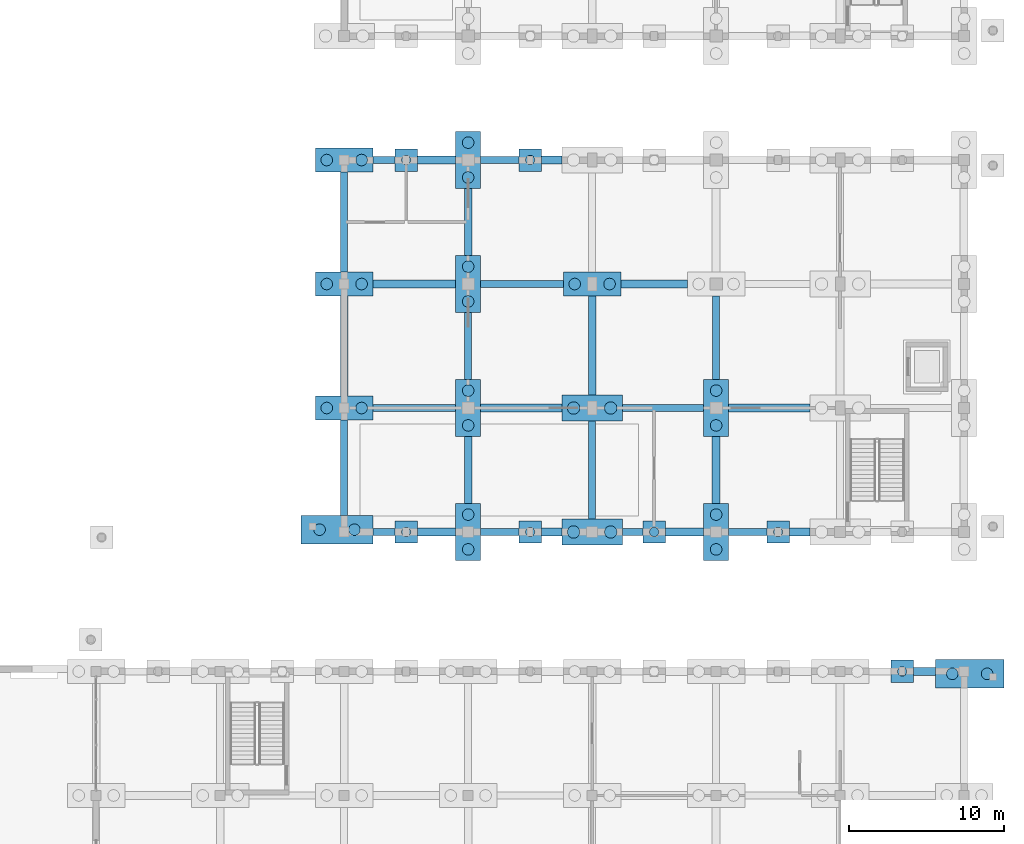
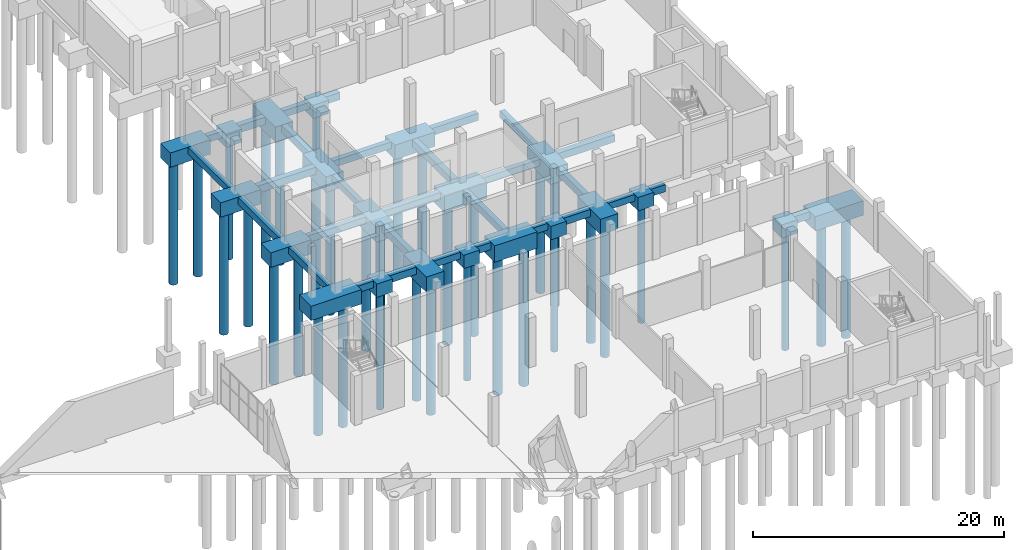
# One storey, part 10 of 52: 51 footings, 35 piles.
"""IFC4 building model written with IfcOpenShell, lengths in metres."""

from ifc_helpers import new_model, si_unit, direction, frame, origin, origin_2d, place, context, subcontext, project, spatial, polyline, rectangle, circle, outline, extrude, material, material_profile, profile_set, type_object, element, save


model = new_model("IFC4")

# Units and contexts
model_context = context("Model", 3, precision=1e-05, world=origin(), true_north=direction((0.0, 1.0)))
body_context = subcontext(model_context, "Body", "Model", "MODEL_VIEW")
ifc_project = project(units=[si_unit("LENGTHUNIT", "METRE"), si_unit("AREAUNIT", "SQUARE_METRE"), si_unit("VOLUMEUNIT", "CUBIC_METRE"), si_unit("PLANEANGLEUNIT", "RADIAN"), si_unit("MASSUNIT", "GRAM", prefix="KILO")], contexts=[model_context])

# Site, building, storey
site_placement = place(None, origin())
site = spatial("IfcSite", under=ifc_project, at=site_placement, CompositionType="ELEMENT")
building_placement = place(site_placement, origin())
building = spatial("IfcBuilding", under=site, at=building_placement, Name="Luwemba Playhouse", CompositionType="ELEMENT")
storey_placement = place(building_placement, frame((0.0, 0.0, -4.800048828125)))
storey = spatial("IfcBuildingStorey", under=building, at=storey_placement, Name="B1", CompositionType="ELEMENT", Elevation=-4.800048828125)

# Footings
ifc_material = material(Name="Concrete C32/40", Category="concrete")
ifc_material_profile_1 = material_profile(ifc_material, rectangle(XDim=0.449951171875, YDim=0.64990234375, at=origin_2d()))
ifc_profile_set_1 = profile_set([ifc_material_profile_1], Name="Concrete C32/40")
footing_type_1 = type_object("IfcFootingType", Name="FTBM-GB1", PredefinedType="FOOTING_BEAM", material=ifc_profile_set_1)
footing_1_placement = place(storey_placement, frame((133.85009765625, 36.0, -0.704833984375), z_axis=(1.0, 0.0, 0.0), x_axis=(0.0, 1.0, 0.0)))
element("IfcFooting", 1, at=footing_1_placement, inside=storey, type_object=footing_type_1, Name="Ground tie-beam 097", PredefinedType="FOOTING_BEAM", context=body_context, shape_type="SweptSolid", body=[
    extrude(rectangle(XDim=0.449951171875, YDim=0.64990234375, at=origin_2d()), origin(), (0.0, 0.0, 1.0), 1.4248046875),
])
footing_2_placement = place(storey_placement, frame((140.800048828125, 36.0, -0.704833984375), z_axis=(1.0, 0.0, 0.0), x_axis=(0.0, 1.0, 0.0)))
element("IfcFooting", 2, at=footing_2_placement, inside=storey, type_object=footing_type_1, Name="Ground tie-beam 099", PredefinedType="FOOTING_BEAM", context=body_context, shape_type="SweptSolid", body=[
    extrude(rectangle(XDim=0.449951171875, YDim=0.64990234375, at=origin_2d()), origin(), (0.0, 0.0, 1.0), 2.474853515625),
])
footing_3_placement = place(storey_placement, frame((149.949951171875, 36.0, -0.704833984375), z_axis=(1.0, 0.0, 0.0), x_axis=(0.0, 1.0, 0.0)))
element("IfcFooting", 3, at=footing_3_placement, inside=storey, type_object=footing_type_1, Name="Ground tie-beam 101", PredefinedType="FOOTING_BEAM", context=body_context, shape_type="SweptSolid", body=[
    extrude(rectangle(XDim=0.449951171875, YDim=0.64990234375, at=origin_2d()), origin(), (0.0, 0.0, 1.0), 1.324951171875),
])
footing_4_placement = place(storey_placement, frame((156.800048828125, 36.0, -0.704833984375), z_axis=(1.0, 0.0, 0.0), x_axis=(0.0, 1.0, 0.0)))
element("IfcFooting", 4, at=footing_4_placement, inside=storey, type_object=footing_type_1, Name="Ground tie-beam 103", PredefinedType="FOOTING_BEAM", context=body_context, shape_type="SweptSolid", body=[
    extrude(rectangle(XDim=0.449951171875, YDim=0.64990234375, at=origin_2d()), origin(), (0.0, 0.0, 1.0), 2.474853515625),
])
footing_5_placement = place(storey_placement, frame((133.85009765625, 44.0, -0.704833984375), z_axis=(1.0, 0.0, 0.0), x_axis=(0.0, 1.0, 0.0)))
element("IfcFooting", 5, at=footing_5_placement, inside=storey, type_object=footing_type_1, Name="Ground tie-beam 113", PredefinedType="FOOTING_BEAM", context=body_context, shape_type="SweptSolid", body=[
    extrude(rectangle(XDim=0.449951171875, YDim=0.64990234375, at=origin_2d()), origin(), (0.0, 0.0, 1.0), 5.349853515625),
])
footing_6_placement = place(storey_placement, frame((149.949951171875, 44.0, -0.704833984375), z_axis=(1.0, 0.0, 0.0), x_axis=(0.0, 1.0, 0.0)))
element("IfcFooting", 6, at=footing_6_placement, inside=storey, type_object=footing_type_1, Name="Ground tie-beam 115", PredefinedType="FOOTING_BEAM", context=body_context, shape_type="SweptSolid", body=[
    extrude(rectangle(XDim=0.449951171875, YDim=0.64990234375, at=origin_2d()), origin(), (0.0, 0.0, 1.0), 5.25),
])
footing_7_placement = place(storey_placement, frame((140.800048828125, 52.0, -0.704833984375), z_axis=(1.0, 0.0, 0.0), x_axis=(0.0, 1.0, 0.0)))
element("IfcFooting", 7, at=footing_7_placement, inside=storey, type_object=footing_type_1, Name="Ground tie-beam 121", PredefinedType="FOOTING_BEAM", context=body_context, shape_type="SweptSolid", body=[
    extrude(rectangle(XDim=0.449951171875, YDim=0.64990234375, at=origin_2d()), origin(), (0.0, 0.0, 1.0), 5.349853515625),
])
footing_8_placement = place(storey_placement, frame((133.85009765625, 60.0, -0.704833984375), z_axis=(1.0, 0.0, 0.0), x_axis=(0.0, 1.0, 0.0)))
element("IfcFooting", 8, at=footing_8_placement, inside=storey, type_object=footing_type_1, Name="Ground tie-beam 127", PredefinedType="FOOTING_BEAM", context=body_context, shape_type="SweptSolid", body=[
    extrude(rectangle(XDim=0.449951171875, YDim=0.64990234375, at=origin_2d()), origin(), (0.0, 0.0, 1.0), 1.4248046875),
])
footing_9_placement = place(storey_placement, frame((140.800048828125, 60.0, -0.704833984375), z_axis=(1.0, 0.0, 0.0), x_axis=(0.0, 1.0, 0.0)))
element("IfcFooting", 9, at=footing_9_placement, inside=storey, type_object=footing_type_1, Name="Ground tie-beam 129", PredefinedType="FOOTING_BEAM", context=body_context, shape_type="SweptSolid", body=[
    extrude(rectangle(XDim=0.449951171875, YDim=0.64990234375, at=origin_2d()), origin(), (0.0, 0.0, 1.0), 2.474853515625),
])
footing_10_placement = place(storey_placement, frame((132.0, 37.074951171875, -0.704833984375), z_axis=(0.0, 1.0, 0.0), x_axis=(-1.0, 0.0, 0.0)))
element("IfcFooting", 10, at=footing_10_placement, inside=storey, type_object=footing_type_1, Name="Ground tie-beam 365", PredefinedType="FOOTING_BEAM", context=body_context, shape_type="SweptSolid", body=[
    extrude(rectangle(XDim=0.449951171875, YDim=0.64990234375, at=origin_2d()), origin(), (0.0, 0.0, 1.0), 6.150146484375),
])
footing_11_placement = place(storey_placement, frame((132.0, 52.77490234375, -0.704833984375), z_axis=(0.0, 1.0, 0.0), x_axis=(-1.0, 0.0, 0.0)))
element("IfcFooting", 11, at=footing_11_placement, inside=storey, type_object=footing_type_1, Name="Ground tie-beam 367", PredefinedType="FOOTING_BEAM", context=body_context, shape_type="SweptSolid", body=[
    extrude(rectangle(XDim=0.449951171875, YDim=0.64990234375, at=origin_2d()), origin(), (0.0, 0.0, 1.0), 6.4501953125),
])
footing_12_placement = place(storey_placement, frame((140.0, 45.85009765625, -0.704833984375), z_axis=(0.0, 1.0, 0.0), x_axis=(-1.0, 0.0, 0.0)))
element("IfcFooting", 12, at=footing_12_placement, inside=storey, type_object=footing_type_1, Name="Ground tie-beam 377", PredefinedType="FOOTING_BEAM", context=body_context, shape_type="SweptSolid", body=[
    extrude(rectangle(XDim=0.449951171875, YDim=0.64990234375, at=origin_2d()), origin(), (0.0, 0.0, 1.0), 4.2998046875),
])
footing_13_placement = place(storey_placement, frame((148.0, 36.824951171875, -0.704833984375), z_axis=(0.0, 1.0, 0.0), x_axis=(-1.0, 0.0, 0.0)))
element("IfcFooting", 13, at=footing_13_placement, inside=storey, type_object=footing_type_1, Name="Ground tie-beam 387", PredefinedType="FOOTING_BEAM", context=body_context, shape_type="SweptSolid", body=[
    extrude(rectangle(XDim=0.449951171875, YDim=0.64990234375, at=origin_2d()), origin(), (0.0, 0.0, 1.0), 6.35009765625),
])
footing_14_placement = place(storey_placement, frame((156.0, 45.85009765625, -0.704833984375), z_axis=(0.0, 1.0, 0.0), x_axis=(-1.0, 0.0, 0.0)))
element("IfcFooting", 14, at=footing_14_placement, inside=storey, type_object=footing_type_1, Name="Ground tie-beam 399", PredefinedType="FOOTING_BEAM", context=body_context, shape_type="SweptSolid", body=[
    extrude(rectangle(XDim=0.449951171875, YDim=0.64990234375, at=origin_2d()), origin(), (0.0, 0.0, 1.0), 5.375),
])
ifc_material_profile_2 = material_profile(ifc_material, rectangle(XDim=0.5, YDim=0.699951171875, at=origin_2d()))
ifc_profile_set_2 = profile_set([ifc_material_profile_2], Name="Concrete C32/40")
footing_type_2 = type_object("IfcFootingType", Name="FTBM-GB2", PredefinedType="FOOTING_BEAM", material=ifc_profile_set_2)
footing_15_placement = place(storey_placement, frame((168.72509765625, 27.0, -0.72998046875), z_axis=(1.0, 0.0, 0.0), x_axis=(0.0, 1.0, 0.0)))
element("IfcFooting", 15, at=footing_15_placement, inside=storey, type_object=footing_type_2, Name="Ground tie-beam 084", PredefinedType="FOOTING_BEAM", context=body_context, shape_type="SweptSolid", body=[
    extrude(rectangle(XDim=0.5, YDim=0.699951171875, at=origin_2d()), origin(), (0.0, 0.0, 1.0), 1.4248046875),
])
footing_16_placement = place(storey_placement, frame((136.72509765625, 36.0, -0.72998046875), z_axis=(1.0, 0.0, 0.0), x_axis=(0.0, 1.0, 0.0)))
element("IfcFooting", 16, at=footing_16_placement, inside=storey, type_object=footing_type_2, Name="Ground tie-beam 098", PredefinedType="FOOTING_BEAM", context=body_context, shape_type="SweptSolid", body=[
    extrude(rectangle(XDim=0.5, YDim=0.699951171875, at=origin_2d()), origin(), (0.0, 0.0, 1.0), 2.474853515625),
])
footing_17_placement = place(storey_placement, frame((144.72509765625, 36.0, -0.72998046875), z_axis=(1.0, 0.0, 0.0), x_axis=(0.0, 1.0, 0.0)))
element("IfcFooting", 17, at=footing_17_placement, inside=storey, type_object=footing_type_2, Name="Ground tie-beam 100", PredefinedType="FOOTING_BEAM", context=body_context, shape_type="SweptSolid", body=[
    extrude(rectangle(XDim=0.5, YDim=0.699951171875, at=origin_2d()), origin(), (0.0, 0.0, 1.0), 1.324951171875),
])
footing_18_placement = place(storey_placement, frame((152.72509765625, 36.0, -0.72998046875), z_axis=(1.0, 0.0, 0.0), x_axis=(0.0, 1.0, 0.0)))
element("IfcFooting", 18, at=footing_18_placement, inside=storey, type_object=footing_type_2, Name="Ground tie-beam 102", PredefinedType="FOOTING_BEAM", context=body_context, shape_type="SweptSolid", body=[
    extrude(rectangle(XDim=0.5, YDim=0.699951171875, at=origin_2d()), origin(), (0.0, 0.0, 1.0), 2.474853515625),
])
footing_19_placement = place(storey_placement, frame((160.72509765625, 36.0, -0.72998046875), z_axis=(1.0, 0.0, 0.0), x_axis=(0.0, 1.0, 0.0)))
element("IfcFooting", 19, at=footing_19_placement, inside=storey, type_object=footing_type_2, Name="Ground tie-beam 104", PredefinedType="FOOTING_BEAM", context=body_context, shape_type="SweptSolid", body=[
    extrude(rectangle(XDim=0.5, YDim=0.699951171875, at=origin_2d()), origin(), (0.0, 0.0, 1.0), 1.324951171875),
])
for number, where, z_axis, x_axis, name in (
    (20, (140.800048828125, 44.0, -0.72998046875), (1.0, 0.0, 0.0), (0.0, 1.0, 0.0), "Ground tie-beam 114"),
    (21, (156.800048828125, 44.0, -0.72998046875), (1.0, 0.0, 0.0), (0.0, 1.0, 0.0), "Ground tie-beam 116"),
):
    element("IfcFooting", number, at=place(storey_placement, frame(where, z_axis=z_axis, x_axis=x_axis)), inside=storey, type_object=footing_type_2, Name=name, PredefinedType="FOOTING_BEAM", context=body_context, shape_type="SweptSolid", body=[
        extrude(rectangle(XDim=0.5, YDim=0.699951171875, at=origin_2d()), origin(), (0.0, 0.0, 1.0), 5.25),
    ])
footing_20_placement = place(storey_placement, frame((133.85009765625, 52.0, -0.72998046875), z_axis=(1.0, 0.0, 0.0), x_axis=(0.0, 1.0, 0.0)))
element("IfcFooting", 22, at=footing_20_placement, inside=storey, type_object=footing_type_2, Name="Ground tie-beam 120", PredefinedType="FOOTING_BEAM", context=body_context, shape_type="SweptSolid", body=[
    extrude(rectangle(XDim=0.5, YDim=0.699951171875, at=origin_2d()), origin(), (0.0, 0.0, 1.0), 5.349853515625),
])
footing_21_placement = place(storey_placement, frame((149.85009765625, 52.0, -0.72998046875), z_axis=(1.0, 0.0, 0.0), x_axis=(0.0, 1.0, 0.0)))
element("IfcFooting", 23, at=footing_21_placement, inside=storey, type_object=footing_type_2, Name="Ground tie-beam 122", PredefinedType="FOOTING_BEAM", context=body_context, shape_type="SweptSolid", body=[
    extrude(rectangle(XDim=0.5, YDim=0.699951171875, at=origin_2d()), origin(), (0.0, 0.0, 1.0), 4.2998046875),
])
footing_22_placement = place(storey_placement, frame((136.72509765625, 60.0, -0.72998046875), z_axis=(1.0, 0.0, 0.0), x_axis=(0.0, 1.0, 0.0)))
element("IfcFooting", 24, at=footing_22_placement, inside=storey, type_object=footing_type_2, Name="Ground tie-beam 128", PredefinedType="FOOTING_BEAM", context=body_context, shape_type="SweptSolid", body=[
    extrude(rectangle(XDim=0.5, YDim=0.699951171875, at=origin_2d()), origin(), (0.0, 0.0, 1.0), 2.474853515625),
])
footing_23_placement = place(storey_placement, frame((144.72509765625, 60.0, -0.72998046875), z_axis=(1.0, 0.0, 0.0), x_axis=(0.0, 1.0, 0.0)))
element("IfcFooting", 25, at=footing_23_placement, inside=storey, type_object=footing_type_2, Name="Ground tie-beam 130", PredefinedType="FOOTING_BEAM", context=body_context, shape_type="SweptSolid", body=[
    extrude(rectangle(XDim=0.5, YDim=0.699951171875, at=origin_2d()), origin(), (0.0, 0.0, 1.0), 1.324951171875),
])
footing_24_placement = place(storey_placement, frame((132.0, 44.77490234375, -0.72998046875), z_axis=(0.0, 1.0, 0.0), x_axis=(-1.0, 0.0, 0.0)))
element("IfcFooting", 26, at=footing_24_placement, inside=storey, type_object=footing_type_2, Name="Ground tie-beam 366", PredefinedType="FOOTING_BEAM", context=body_context, shape_type="SweptSolid", body=[
    extrude(rectangle(XDim=0.5, YDim=0.699951171875, at=origin_2d()), origin(), (0.0, 0.0, 1.0), 6.4501953125),
])
for number, where, z_axis, x_axis, name in (
    (27, (140.0, 37.85009765625, -0.72998046875), (0.0, 1.0, 0.0), (-1.0, 0.0, 0.0), "Ground tie-beam 376"),
    (28, (140.0, 53.85009765625, -0.72998046875), (0.0, 1.0, 0.0), (-1.0, 0.0, 0.0), "Ground tie-beam 378"),
):
    element("IfcFooting", number, at=place(storey_placement, frame(where, z_axis=z_axis, x_axis=x_axis)), inside=storey, type_object=footing_type_2, Name=name, PredefinedType="FOOTING_BEAM", context=body_context, shape_type="SweptSolid", body=[
        extrude(rectangle(XDim=0.5, YDim=0.699951171875, at=origin_2d()), origin(), (0.0, 0.0, 1.0), 4.2998046875),
    ])
footing_25_placement = place(storey_placement, frame((148.0, 44.824951171875, -0.72998046875), z_axis=(0.0, 1.0, 0.0), x_axis=(-1.0, 0.0, 0.0)))
element("IfcFooting", 29, at=footing_25_placement, inside=storey, type_object=footing_type_2, Name="Ground tie-beam 388", PredefinedType="FOOTING_BEAM", context=body_context, shape_type="SweptSolid", body=[
    extrude(rectangle(XDim=0.5, YDim=0.699951171875, at=origin_2d()), origin(), (0.0, 0.0, 1.0), 6.400146484375),
])
footing_26_placement = place(storey_placement, frame((156.0, 37.85009765625, -0.72998046875), z_axis=(0.0, 1.0, 0.0), x_axis=(-1.0, 0.0, 0.0)))
element("IfcFooting", 30, at=footing_26_placement, inside=storey, type_object=footing_type_2, Name="Ground tie-beam 398", PredefinedType="FOOTING_BEAM", context=body_context, shape_type="SweptSolid", body=[
    extrude(rectangle(XDim=0.5, YDim=0.699951171875, at=origin_2d()), origin(), (0.0, 0.0, 1.0), 4.2998046875),
])
footing_type_3 = type_object("IfcFootingType", Name="FTG-PC02", PredefinedType="PILE_CAP", material=ifc_material)
footing_27_placement = place(storey_placement, frame((0.0, 0.0, -1.679931640625)))
element("IfcFooting", 31, at=footing_27_placement, inside=storey, type_object=footing_type_3, Name="Pile cap 121", PredefinedType="PILE_CAP", context=body_context, shape_type="SweptSolid", body=[
    extrude(outline(polyline([(167.27490234375, 26.27490234375), (168.72509765625, 26.27490234375), (168.72509765625, 27.72509765625), (167.27490234375, 27.72509765625), (167.27490234375, 26.27490234375)])), origin(), (0.0, 0.0, 1.0), 1.300048828125),
])
footing_28_placement = place(storey_placement, frame((0.0, 0.0, -1.679931640625)))
element("IfcFooting", 32, at=footing_28_placement, inside=storey, type_object=footing_type_3, Name="Pile cap 146", PredefinedType="PILE_CAP", context=body_context, shape_type="SweptSolid", body=[
    extrude(outline(polyline([(135.27490234375, 35.27490234375), (136.72509765625, 35.27490234375), (136.72509765625, 36.72509765625), (135.27490234375, 36.72509765625), (135.27490234375, 35.27490234375)])), origin(), (0.0, 0.0, 1.0), 1.300048828125),
])
footing_29_placement = place(storey_placement, frame((0.0, 0.0, -1.679931640625)))
element("IfcFooting", 33, at=footing_29_placement, inside=storey, type_object=footing_type_3, Name="Pile cap 147", PredefinedType="PILE_CAP", context=body_context, shape_type="SweptSolid", body=[
    extrude(outline(polyline([(143.27490234375, 35.27490234375), (144.72509765625, 35.27490234375), (144.72509765625, 36.72509765625), (143.27490234375, 36.72509765625), (143.27490234375, 35.27490234375)])), origin(), (0.0, 0.0, 1.0), 1.300048828125),
])
footing_30_placement = place(storey_placement, frame((0.0, 0.0, -1.679931640625)))
element("IfcFooting", 34, at=footing_30_placement, inside=storey, type_object=footing_type_3, Name="Pile cap 148", PredefinedType="PILE_CAP", context=body_context, shape_type="SweptSolid", body=[
    extrude(outline(polyline([(151.27490234375, 35.27490234375), (152.72509765625, 35.27490234375), (152.72509765625, 36.72509765625), (151.27490234375, 36.72509765625), (151.27490234375, 35.27490234375)])), origin(), (0.0, 0.0, 1.0), 1.300048828125),
])
footing_31_placement = place(storey_placement, frame((0.0, 0.0, -1.679931640625)))
element("IfcFooting", 35, at=footing_31_placement, inside=storey, type_object=footing_type_3, Name="Pile cap 149", PredefinedType="PILE_CAP", context=body_context, shape_type="SweptSolid", body=[
    extrude(outline(polyline([(159.27490234375, 35.27490234375), (160.72509765625, 35.27490234375), (160.72509765625, 36.72509765625), (159.27490234375, 36.72509765625), (159.27490234375, 35.27490234375)])), origin(), (0.0, 0.0, 1.0), 1.300048828125),
])
footing_32_placement = place(storey_placement, frame((0.0, 0.0, -1.679931640625)))
element("IfcFooting", 36, at=footing_32_placement, inside=storey, type_object=footing_type_3, Name="Pile cap 186", PredefinedType="PILE_CAP", context=body_context, shape_type="SweptSolid", body=[
    extrude(outline(polyline([(135.27490234375, 59.27490234375), (136.72509765625, 59.27490234375), (136.72509765625, 60.72509765625), (135.27490234375, 60.72509765625), (135.27490234375, 59.27490234375)])), origin(), (0.0, 0.0, 1.0), 1.300048828125),
])
footing_33_placement = place(storey_placement, frame((0.0, 0.0, -1.679931640625)))
element("IfcFooting", 37, at=footing_33_placement, inside=storey, type_object=footing_type_3, Name="Pile cap 187", PredefinedType="PILE_CAP", context=body_context, shape_type="SweptSolid", body=[
    extrude(outline(polyline([(143.27490234375, 59.27490234375), (144.72509765625, 59.27490234375), (144.72509765625, 60.72509765625), (143.27490234375, 60.72509765625), (143.27490234375, 59.27490234375)])), origin(), (0.0, 0.0, 1.0), 1.300048828125),
])
footing_type_4 = type_object("IfcFootingType", Name="FTG-PC03", PredefinedType="PILE_CAP", material=ifc_material)
footing_34_placement = place(storey_placement, frame((0.0, 0.0, -1.8798828125)))
element("IfcFooting", 38, at=footing_34_placement, inside=storey, type_object=footing_type_4, Name="Pile cap 128", PredefinedType="PILE_CAP", context=body_context, shape_type="SweptSolid", body=[
    extrude(outline(polyline([(139.199951171875, 34.14990234375), (140.800048828125, 34.14990234375), (140.800048828125, 37.85009765625), (139.199951171875, 37.85009765625), (139.199951171875, 34.14990234375)])), origin(), (0.0, 0.0, 1.0), 1.5),
])
footing_35_placement = place(storey_placement, frame((0.0, 0.0, -1.8798828125)))
element("IfcFooting", 39, at=footing_35_placement, inside=storey, type_object=footing_type_4, Name="Pile cap 129", PredefinedType="PILE_CAP", context=body_context, shape_type="SweptSolid", body=[
    extrude(outline(polyline([(155.199951171875, 34.14990234375), (156.800048828125, 34.14990234375), (156.800048828125, 37.85009765625), (155.199951171875, 37.85009765625), (155.199951171875, 34.14990234375)])), origin(), (0.0, 0.0, 1.0), 1.5),
])
footing_36_placement = place(storey_placement, frame((0.0, 0.0, -1.8798828125)))
element("IfcFooting", 40, at=footing_36_placement, inside=storey, type_object=footing_type_4, Name="Pile cap 155", PredefinedType="PILE_CAP", context=body_context, shape_type="SweptSolid", body=[
    extrude(outline(polyline([(139.199951171875, 42.14990234375), (140.800048828125, 42.14990234375), (140.800048828125, 45.85009765625), (139.199951171875, 45.85009765625), (139.199951171875, 42.14990234375)])), origin(), (0.0, 0.0, 1.0), 1.5),
])
footing_37_placement = place(storey_placement, frame((0.0, 0.0, -1.8798828125)))
element("IfcFooting", 41, at=footing_37_placement, inside=storey, type_object=footing_type_4, Name="Pile cap 156", PredefinedType="PILE_CAP", context=body_context, shape_type="SweptSolid", body=[
    extrude(outline(polyline([(155.199951171875, 42.14990234375), (156.800048828125, 42.14990234375), (156.800048828125, 45.85009765625), (155.199951171875, 45.85009765625), (155.199951171875, 42.14990234375)])), origin(), (0.0, 0.0, 1.0), 1.5),
])
footing_38_placement = place(storey_placement, frame((0.0, 0.0, -1.8798828125)))
element("IfcFooting", 42, at=footing_38_placement, inside=storey, type_object=footing_type_4, Name="Pile cap 167", PredefinedType="PILE_CAP", context=body_context, shape_type="SweptSolid", body=[
    extrude(outline(polyline([(139.199951171875, 50.14990234375), (140.800048828125, 50.14990234375), (140.800048828125, 53.85009765625), (139.199951171875, 53.85009765625), (139.199951171875, 50.14990234375)])), origin(), (0.0, 0.0, 1.0), 1.5),
])
footing_39_placement = place(storey_placement, frame((0.0, 0.0, -1.8798828125)))
element("IfcFooting", 43, at=footing_39_placement, inside=storey, type_object=footing_type_4, Name="Pile cap 177", PredefinedType="PILE_CAP", context=body_context, shape_type="SweptSolid", body=[
    extrude(outline(polyline([(139.199951171875, 58.14990234375), (140.800048828125, 58.14990234375), (140.800048828125, 61.85009765625), (139.199951171875, 61.85009765625), (139.199951171875, 58.14990234375)])), origin(), (0.0, 0.0, 1.0), 1.5),
])
footing_type_5 = type_object("IfcFootingType", Name="FTG-PC04", PredefinedType="PILE_CAP", material=ifc_material)
footing_40_placement = place(storey_placement, frame((0.0, 0.0, -1.97998046875)))
element("IfcFooting", 44, at=footing_40_placement, inside=storey, type_object=footing_type_5, Name="Pile cap 136", PredefinedType="PILE_CAP", context=body_context, shape_type="SweptSolid", body=[
    extrude(outline(polyline([(146.050048828125, 35.175048828125), (149.949951171875, 35.175048828125), (149.949951171875, 36.824951171875), (146.050048828125, 36.824951171875), (146.050048828125, 35.175048828125)])), origin(), (0.0, 0.0, 1.0), 1.60009765625),
])
footing_41_placement = place(storey_placement, frame((0.0, 0.0, -1.97998046875)))
element("IfcFooting", 45, at=footing_41_placement, inside=storey, type_object=footing_type_5, Name="Pile cap 161", PredefinedType="PILE_CAP", context=body_context, shape_type="SweptSolid", body=[
    extrude(outline(polyline([(146.050048828125, 43.175048828125), (149.949951171875, 43.175048828125), (149.949951171875, 44.824951171875), (146.050048828125, 44.824951171875), (146.050048828125, 43.175048828125)])), origin(), (0.0, 0.0, 1.0), 1.60009765625),
])
footing_type_6 = type_object("IfcFootingType", Name="FTG-PC05", PredefinedType="PILE_CAP", material=ifc_material)
footing_42_placement = place(storey_placement, frame((0.0, 0.0, -1.780029296875)))
element("IfcFooting", 46, at=footing_42_placement, inside=storey, type_object=footing_type_6, Name="Pile cap 164", PredefinedType="PILE_CAP", context=body_context, shape_type="SweptSolid", body=[
    extrude(outline(polyline([(130.14990234375, 43.22509765625), (133.85009765625, 43.22509765625), (133.85009765625, 44.77490234375), (130.14990234375, 44.77490234375), (130.14990234375, 43.22509765625)])), origin(), (0.0, 0.0, 1.0), 1.400146484375),
])
footing_43_placement = place(storey_placement, frame((0.0, 0.0, -1.780029296875)))
element("IfcFooting", 47, at=footing_43_placement, inside=storey, type_object=footing_type_6, Name="Pile cap 172", PredefinedType="PILE_CAP", context=body_context, shape_type="SweptSolid", body=[
    extrude(outline(polyline([(130.14990234375, 51.22509765625), (133.85009765625, 51.22509765625), (133.85009765625, 52.77490234375), (130.14990234375, 52.77490234375), (130.14990234375, 51.22509765625)])), origin(), (0.0, 0.0, 1.0), 1.400146484375),
])
footing_44_placement = place(storey_placement, frame((0.0, 0.0, -1.780029296875)))
element("IfcFooting", 48, at=footing_44_placement, inside=storey, type_object=footing_type_6, Name="Pile cap 173", PredefinedType="PILE_CAP", context=body_context, shape_type="SweptSolid", body=[
    extrude(outline(polyline([(146.14990234375, 51.22509765625), (149.85009765625, 51.22509765625), (149.85009765625, 52.77490234375), (146.14990234375, 52.77490234375), (146.14990234375, 51.22509765625)])), origin(), (0.0, 0.0, 1.0), 1.400146484375),
])
footing_45_placement = place(storey_placement, frame((0.0, 0.0, -1.780029296875)))
element("IfcFooting", 49, at=footing_45_placement, inside=storey, type_object=footing_type_6, Name="Pile cap 185", PredefinedType="PILE_CAP", context=body_context, shape_type="SweptSolid", body=[
    extrude(outline(polyline([(130.14990234375, 59.22509765625), (133.85009765625, 59.22509765625), (133.85009765625, 60.77490234375), (130.14990234375, 60.77490234375), (130.14990234375, 59.22509765625)])), origin(), (0.0, 0.0, 1.0), 1.400146484375),
])
footing_type_7 = type_object("IfcFootingType", Name="FTG-PC06", PredefinedType="PILE_CAP", material=ifc_material)
footing_46_placement = place(storey_placement, frame((0.0, 0.0, -1.780029296875)))
element("IfcFooting", 50, at=footing_46_placement, inside=storey, type_object=footing_type_7, Name="Pile cap 096", PredefinedType="PILE_CAP", context=body_context, shape_type="SweptSolid", body=[
    extrude(outline(polyline([(170.14990234375, 25.925048828125), (174.574951171875, 25.925048828125), (174.574951171875, 27.77490234375), (170.14990234375, 27.77490234375), (170.14990234375, 25.925048828125)])), origin(), (0.0, 0.0, 1.0), 1.400146484375),
])
footing_type_8 = type_object("IfcFootingType", Name="FTG-PC20", PredefinedType="PILE_CAP", material=ifc_material)
footing_47_placement = place(storey_placement, frame((0.0, 0.0, -1.780029296875)))
element("IfcFooting", 51, at=footing_47_placement, inside=storey, type_object=footing_type_8, Name="Pile cap 139", PredefinedType="PILE_CAP", context=body_context, shape_type="SweptSolid", body=[
    extrude(outline(polyline([(129.22509765625, 35.22509765625), (133.85009765625, 35.22509765625), (133.85009765625, 37.074951171875), (129.22509765625, 37.074951171875), (129.22509765625, 35.22509765625)])), origin(), (0.0, 0.0, 1.0), 1.400146484375),
])

# Piles
ifc_material_profile_3 = material_profile(ifc_material, circle(Radius=0.300048828125, at=origin_2d()))
ifc_profile_set_3 = profile_set([ifc_material_profile_3], Name="Concrete C32/40")
pile_type_1 = type_object("IfcPileType", Name="PILE-BP1", PredefinedType="BORED", material=ifc_profile_set_3)
for number, where, z_axis, x_axis, name in (
    (52, (168.0, 27.0, -1.579833984375), (0.0, 0.0, -1.0), (1.0, 0.0, 0.0), "Bored pile 193"),
    (53, (136.0, 36.0, -1.579833984375), (0.0, 0.0, -1.0), (1.0, 0.0, 0.0), "Bored pile 231"),
    (54, (144.0, 36.0, -1.579833984375), (0.0, 0.0, -1.0), (1.0, 0.0, 0.0), "Bored pile 232"),
    (55, (152.0, 36.0, -1.579833984375), (0.0, 0.0, -1.0), (1.0, 0.0, 0.0), "Bored pile 233"),
    (56, (160.0, 36.0, -1.579833984375), (0.0, 0.0, -1.0), (1.0, 0.0, 0.0), "Bored pile 234"),
    (57, (136.0, 60.0, -1.579833984375), (0.0, 0.0, -1.0), (1.0, 0.0, 0.0), "Bored pile 304"),
    (58, (144.0, 60.0, -1.579833984375), (0.0, 0.0, -1.0), (1.0, 0.0, 0.0), "Bored pile 305"),
):
    element("IfcPile", number, at=place(storey_placement, frame(where, z_axis=z_axis, x_axis=x_axis)), inside=storey, type_object=pile_type_1, Name=name, PredefinedType="BORED", context=body_context, shape_type="SweptSolid", body=[
        extrude(circle(Radius=0.300048828125, at=origin_2d()), origin(), (0.0, 0.0, 1.0), 11.5),
    ])
ifc_material_profile_4 = material_profile(ifc_material, circle(Radius=0.375, at=origin_2d()))
ifc_profile_set_4 = profile_set([ifc_material_profile_4], Name="Concrete C32/40")
pile_type_2 = type_object("IfcPileType", Name="PILE-BP2", PredefinedType="BORED", material=ifc_profile_set_4)
for number, where, z_axis, x_axis, name in (
    (59, (171.237548828125, 26.85009765625, -1.679931640625), (0.0, 0.0, -1.0), (1.0, 0.0, 0.0), "Bored pile 156"),
    (60, (173.487548828125, 26.85009765625, -1.679931640625), (0.0, 0.0, -1.0), (1.0, 0.0, 0.0), "Bored pile 157"),
):
    element("IfcPile", number, at=place(storey_placement, frame(where, z_axis=z_axis, x_axis=x_axis)), inside=storey, type_object=pile_type_2, Name=name, PredefinedType="BORED", context=body_context, shape_type="SweptSolid", body=[
        extrude(circle(Radius=0.375, at=origin_2d()), origin(), (0.0, 0.0, 1.0), 12.0),
    ])
for number, where, z_axis, x_axis, name in (
    (61, (140.0, 34.875, -1.780029296875), (0.0, 0.0, -1.0), (1.0, 0.0, 0.0), "Bored pile 203"),
    (62, (140.0, 37.125, -1.780029296875), (0.0, 0.0, -1.0), (1.0, 0.0, 0.0), "Bored pile 204"),
    (63, (156.0, 34.875, -1.780029296875), (0.0, 0.0, -1.0), (1.0, 0.0, 0.0), "Bored pile 205"),
    (64, (156.0, 37.125, -1.780029296875), (0.0, 0.0, -1.0), (1.0, 0.0, 0.0), "Bored pile 206"),
):
    element("IfcPile", number, at=place(storey_placement, frame(where, z_axis=z_axis, x_axis=x_axis)), inside=storey, type_object=pile_type_2, Name=name, PredefinedType="BORED", context=body_context, shape_type="SweptSolid", body=[
        extrude(circle(Radius=0.375, at=origin_2d()), origin(), (0.0, 0.0, 1.0), 12.5),
    ])
for number, where, z_axis, x_axis, name in (
    (65, (130.41259765625, 36.14990234375, -1.679931640625), (0.0, 0.0, -1.0), (1.0, 0.0, 0.0), "Bored pile 223"),
    (66, (132.66259765625, 36.14990234375, -1.679931640625), (0.0, 0.0, -1.0), (1.0, 0.0, 0.0), "Bored pile 224"),
):
    element("IfcPile", number, at=place(storey_placement, frame(where, z_axis=z_axis, x_axis=x_axis)), inside=storey, type_object=pile_type_2, Name=name, PredefinedType="BORED", context=body_context, shape_type="SweptSolid", body=[
        extrude(circle(Radius=0.375, at=origin_2d()), origin(), (0.0, 0.0, 1.0), 12.0),
    ])
for number, where, z_axis, x_axis, name in (
    (67, (140.0, 42.875, -1.780029296875), (0.0, 0.0, -1.0), (1.0, 0.0, 0.0), "Bored pile 243"),
    (68, (140.0, 45.125, -1.780029296875), (0.0, 0.0, -1.0), (1.0, 0.0, 0.0), "Bored pile 244"),
    (69, (156.0, 42.875, -1.780029296875), (0.0, 0.0, -1.0), (1.0, 0.0, 0.0), "Bored pile 245"),
    (70, (156.0, 45.125, -1.780029296875), (0.0, 0.0, -1.0), (1.0, 0.0, 0.0), "Bored pile 246"),
):
    element("IfcPile", number, at=place(storey_placement, frame(where, z_axis=z_axis, x_axis=x_axis)), inside=storey, type_object=pile_type_2, Name=name, PredefinedType="BORED", context=body_context, shape_type="SweptSolid", body=[
        extrude(circle(Radius=0.375, at=origin_2d()), origin(), (0.0, 0.0, 1.0), 12.5),
    ])
for number, where, z_axis, x_axis, name in (
    (71, (130.875, 44.0, -1.679931640625), (0.0, 0.0, -1.0), (1.0, 0.0, 0.0), "Bored pile 261"),
    (72, (133.125, 44.0, -1.679931640625), (0.0, 0.0, -1.0), (1.0, 0.0, 0.0), "Bored pile 262"),
):
    element("IfcPile", number, at=place(storey_placement, frame(where, z_axis=z_axis, x_axis=x_axis)), inside=storey, type_object=pile_type_2, Name=name, PredefinedType="BORED", context=body_context, shape_type="SweptSolid", body=[
        extrude(circle(Radius=0.375, at=origin_2d()), origin(), (0.0, 0.0, 1.0), 12.0),
    ])
for number, where, z_axis, x_axis, name in (
    (73, (140.0, 50.875, -1.780029296875), (0.0, 0.0, -1.0), (1.0, 0.0, 0.0), "Bored pile 267"),
    (74, (140.0, 53.125, -1.780029296875), (0.0, 0.0, -1.0), (1.0, 0.0, 0.0), "Bored pile 268"),
):
    element("IfcPile", number, at=place(storey_placement, frame(where, z_axis=z_axis, x_axis=x_axis)), inside=storey, type_object=pile_type_2, Name=name, PredefinedType="BORED", context=body_context, shape_type="SweptSolid", body=[
        extrude(circle(Radius=0.375, at=origin_2d()), origin(), (0.0, 0.0, 1.0), 12.5),
    ])
for number, where, z_axis, x_axis, name in (
    (75, (130.875, 52.0, -1.679931640625), (0.0, 0.0, -1.0), (1.0, 0.0, 0.0), "Bored pile 277"),
    (76, (133.125, 52.0, -1.679931640625), (0.0, 0.0, -1.0), (1.0, 0.0, 0.0), "Bored pile 278"),
    (77, (146.875, 52.0, -1.679931640625), (0.0, 0.0, -1.0), (1.0, 0.0, 0.0), "Bored pile 279"),
    (78, (149.125, 52.0, -1.679931640625), (0.0, 0.0, -1.0), (1.0, 0.0, 0.0), "Bored pile 280"),
):
    element("IfcPile", number, at=place(storey_placement, frame(where, z_axis=z_axis, x_axis=x_axis)), inside=storey, type_object=pile_type_2, Name=name, PredefinedType="BORED", context=body_context, shape_type="SweptSolid", body=[
        extrude(circle(Radius=0.375, at=origin_2d()), origin(), (0.0, 0.0, 1.0), 12.0),
    ])
for number, where, z_axis, x_axis, name in (
    (79, (140.0, 58.875, -1.780029296875), (0.0, 0.0, -1.0), (1.0, 0.0, 0.0), "Bored pile 287"),
    (80, (140.0, 61.125, -1.780029296875), (0.0, 0.0, -1.0), (1.0, 0.0, 0.0), "Bored pile 288"),
):
    element("IfcPile", number, at=place(storey_placement, frame(where, z_axis=z_axis, x_axis=x_axis)), inside=storey, type_object=pile_type_2, Name=name, PredefinedType="BORED", context=body_context, shape_type="SweptSolid", body=[
        extrude(circle(Radius=0.375, at=origin_2d()), origin(), (0.0, 0.0, 1.0), 12.5),
    ])
for number, where, z_axis, x_axis, name in (
    (81, (130.875, 60.0, -1.679931640625), (0.0, 0.0, -1.0), (1.0, 0.0, 0.0), "Bored pile 302"),
    (82, (133.125, 60.0, -1.679931640625), (0.0, 0.0, -1.0), (1.0, 0.0, 0.0), "Bored pile 303"),
):
    element("IfcPile", number, at=place(storey_placement, frame(where, z_axis=z_axis, x_axis=x_axis)), inside=storey, type_object=pile_type_2, Name=name, PredefinedType="BORED", context=body_context, shape_type="SweptSolid", body=[
        extrude(circle(Radius=0.375, at=origin_2d()), origin(), (0.0, 0.0, 1.0), 12.0),
    ])
ifc_material_profile_5 = material_profile(ifc_material, circle(Radius=0.39990234375, at=origin_2d()))
ifc_profile_set_5 = profile_set([ifc_material_profile_5], Name="Concrete C32/40")
pile_type_3 = type_object("IfcPileType", Name="PILE-BP3", PredefinedType="BORED", material=ifc_profile_set_5)
for number, where, z_axis, x_axis, name in (
    (83, (146.800048828125, 36.0, -1.8798828125), (0.0, 0.0, -1.0), (1.0, 0.0, 0.0), "Bored pile 217"),
    (84, (149.199951171875, 36.0, -1.8798828125), (0.0, 0.0, -1.0), (1.0, 0.0, 0.0), "Bored pile 218"),
    (85, (146.800048828125, 44.0, -1.8798828125), (0.0, 0.0, -1.0), (1.0, 0.0, 0.0), "Bored pile 255"),
    (86, (149.199951171875, 44.0, -1.8798828125), (0.0, 0.0, -1.0), (1.0, 0.0, 0.0), "Bored pile 256"),
):
    element("IfcPile", number, at=place(storey_placement, frame(where, z_axis=z_axis, x_axis=x_axis)), inside=storey, type_object=pile_type_3, Name=name, PredefinedType="BORED", context=body_context, shape_type="SweptSolid", body=[
        extrude(circle(Radius=0.39990234375, at=origin_2d()), origin(), (0.0, 0.0, 1.0), 13.5),
    ])

save(model, "model.ifc")
